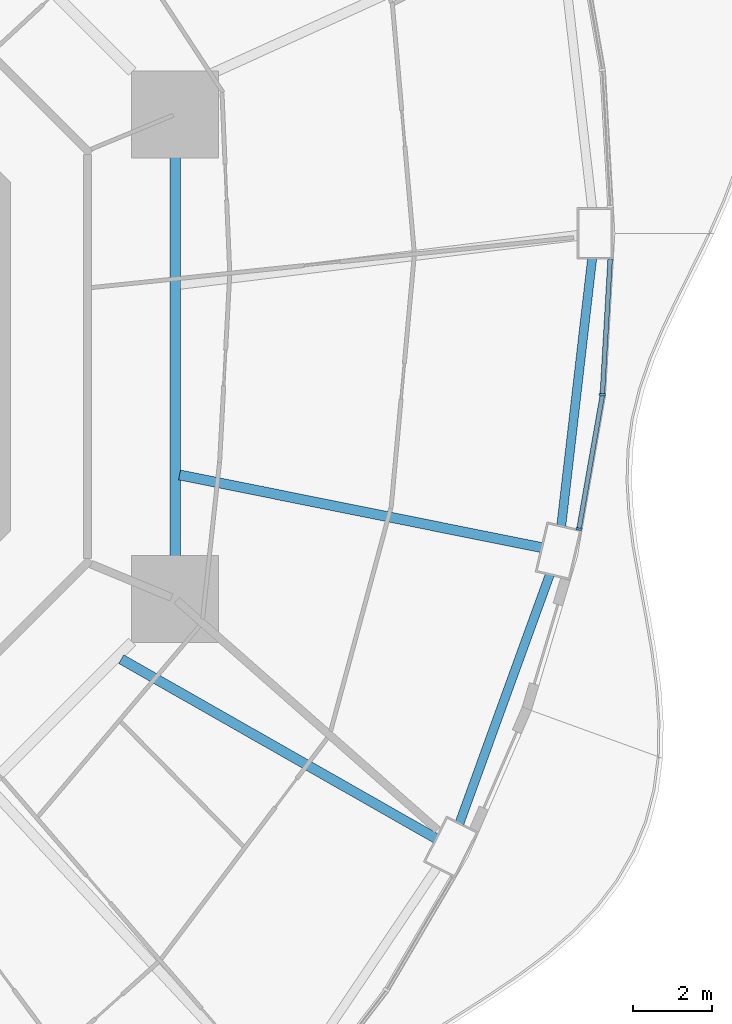
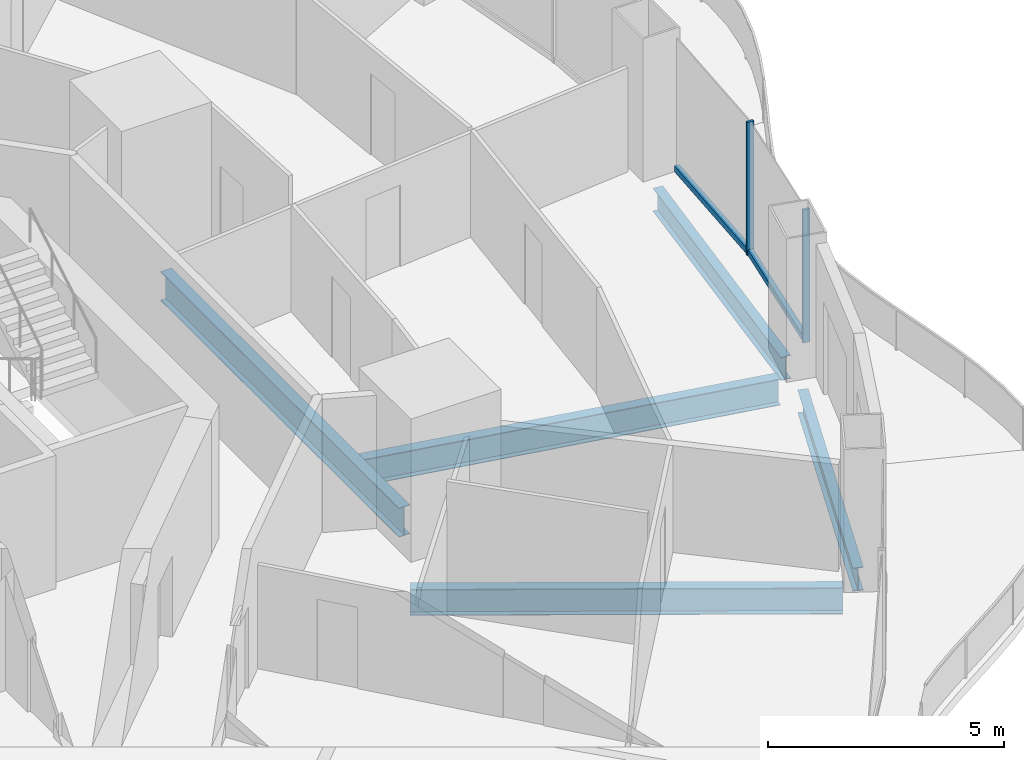
# One storey, part 6 of 22: 5 beams, 4 members, 2 elements without a shape of their own.
"""IFC4 building model written with IfcOpenShell, lengths in metres."""

from ifc_helpers import new_model, si_unit, direction, frame, origin, origin_2d, place, context, subcontext, project, spatial, rectangle, i_section, extrude, material, layer, layer_set, material_profile, profile_set, type_object, element, aggregate, save


model = new_model("IFC4")

# Units and contexts
model_context = context("Model", 3, precision=1e-05, world=origin(), true_north=direction((0.0, 1.0)))
body_context = subcontext(model_context, "Body", "Model", "MODEL_VIEW")
ifc_project = project(units=[si_unit("LENGTHUNIT", "METRE"), si_unit("AREAUNIT", "SQUARE_METRE"), si_unit("VOLUMEUNIT", "CUBIC_METRE"), si_unit("PLANEANGLEUNIT", "RADIAN"), si_unit("MASSUNIT", "GRAM", prefix="KILO")], contexts=[model_context])

# Site, building, storey
site_placement = place(None, origin())
site = spatial("IfcSite", under=ifc_project, at=site_placement, CompositionType="ELEMENT")
building_placement = place(site_placement, origin())
building = spatial("IfcBuilding", under=site, at=building_placement, Name="Nagisa Residences", CompositionType="ELEMENT")
storey_placement = place(building_placement, frame((0.0, 0.0, 95.5)))
storey = spatial("IfcBuildingStorey", under=building, at=storey_placement, Name="L23", CompositionType="ELEMENT", Elevation=95.5)

# Curtain wall, member
ifc_material_1 = material(Name="Concrete-coloured aluminium curtain wall system", Category="concrete")
ifc_layer = layer(ifc_material_1, 0.159912109375)
ifc_layer_set = layer_set([ifc_layer], Name="CW1 CURTAIN WALL")
curtain_wall_type = type_object("IfcCurtainWallType", Name="CW1 CURTAIN WALL", PredefinedType="NOTDEFINED", material=ifc_layer_set)
curtain_wall_1_placement = place(storey_placement, origin())
curtain_wall_1 = element("IfcCurtainWall", 1, at=curtain_wall_1_placement, inside=storey, type_object=curtain_wall_type, Name="cw:CW1:L23:46", PredefinedType="NOTDEFINED")
ifc_material_2 = material(Name="Concrete-coloured aluminium", Category="concrete")
ifc_material_profile_1 = material_profile(ifc_material_2, rectangle(XDim=0.159912109375, YDim=0.06005859375, at=origin_2d()), Name="CW1 MULLION 160x60")
ifc_profile_set_1 = profile_set([ifc_material_profile_1], Name="Concrete-coloured aluminium")
member_type_1 = type_object("IfcMemberType", Name="CW1 MULLION 160x60", PredefinedType="MULLION", material=ifc_profile_set_1)
member_1_placement = place(storey_placement, frame((24.989501953125, -4.35546875, 0.0), z_axis=(0.0, 0.0, 1.0), x_axis=(-0.985063604377, 0.172190868898, 0.0)))
member_1 = element("IfcMember", 2, at=member_1_placement, type_object=member_type_1, Name="CW1 mullion", PredefinedType="MULLION", context=body_context, shape_type="SweptSolid", body=[
    extrude(rectangle(XDim=0.159912109375, YDim=0.06005859375, at=origin_2d()), origin(), (0.0, 0.0, 1.0), 3.43994140625),
])

curtain_wall_2_placement = place(storey_placement, origin())
curtain_wall_2 = element("IfcCurtainWall", 3, at=curtain_wall_2_placement, inside=storey, type_object=curtain_wall_type, Name="cw:CW1:L23:47", PredefinedType="NOTDEFINED")
member_2_placement = place(storey_placement, frame((25.579833984375, -0.961181640625, 0.0), z_axis=(0.0, 0.0, 1.0), x_axis=(-0.998345305184, 0.057503492216, 0.0)))
member_2 = element("IfcMember", 4, at=member_2_placement, type_object=member_type_1, Name="CW1 mullion", PredefinedType="MULLION", context=body_context, shape_type="SweptSolid", body=[
    extrude(rectangle(XDim=0.159912109375, YDim=0.06005859375, at=origin_2d()), origin(), (0.0, 0.0, 1.0), 3.43994140625),
])

# Member
ifc_material_3 = material(Name="Concrete-coloured aluminium", Category="concrete")
ifc_material_profile_2 = material_profile(ifc_material_3, rectangle(XDim=0.1201171875, YDim=0.14990234375, at=origin_2d()), Name="CW1 TRANSOM 120x150")
ifc_profile_set_2 = profile_set([ifc_material_profile_2], Name="Concrete-coloured aluminium")
member_type_2 = type_object("IfcMemberType", Name="CW1 TRANSOM 120x150", PredefinedType="USERDEFINED", material=ifc_profile_set_2)
member_3_placement = place(storey_placement, frame((24.984375, -4.385009765625, 0.074951171875), z_axis=(0.17223289558, 0.985056257114, 0.0), x_axis=(-0.985056257114, 0.17223289558, 0.0)))
member_3 = element("IfcMember", 5, at=member_3_placement, type_object=member_type_2, Name="CW1 transom", ObjectType="TRANSOM", PredefinedType="USERDEFINED", context=body_context, shape_type="SweptSolid", body=[
    extrude(rectangle(XDim=0.1201171875, YDim=0.14990234375, at=origin_2d()), origin(), (0.0, 0.0, 1.0), 3.454345703125),
])

aggregate(curtain_wall_1, [member_1, member_3])

member_4_placement = place(storey_placement, frame((25.578125, -0.9912109375, 0.074951171875), z_axis=(0.057546644052, 0.998342818754, 0.0), x_axis=(-0.998342818754, 0.057546644052, 0.0)))
member_4 = element("IfcMember", 6, at=member_4_placement, type_object=member_type_2, Name="CW1 transom", ObjectType="TRANSOM", PredefinedType="USERDEFINED", context=body_context, shape_type="SweptSolid", body=[
    extrude(rectangle(XDim=0.1201171875, YDim=0.14990234375, at=origin_2d()), origin(), (0.0, 0.0, 1.0), 3.470458984375),
])

aggregate(curtain_wall_2, [member_2, member_4])

# Beams
ifc_material_4 = material(Name="Steel ASTM A572 Gr 50", Category="steel")
ifc_material_profile_3 = material_profile(ifc_material_4, i_section(OverallWidth=0.264892578125, OverallDepth=0.7529296875, WebThickness=0.01318359375, FlangeThickness=0.01708984375, at=origin_2d()), Name="W760x147")
ifc_profile_set_3 = profile_set([ifc_material_profile_3], Name="Steel ASTM A572 Gr 50")
beam_type_1 = type_object("IfcBeamType", Name="Inner ring beam W760x147", PredefinedType="BEAM", material=ifc_profile_set_3)
beam_1_placement = place(storey_placement, frame((14.781982421875, -5.04296875, -0.636474609375), z_axis=(0.0, 1.0, 0.0), x_axis=(-1.0, 0.0, 0.0)))
element("IfcBeam", 7, at=beam_1_placement, inside=storey, type_object=beam_type_1, Name="beam:L23:ib8", PredefinedType="BEAM", context=body_context, shape_type="SweptSolid", body=[
    extrude(i_section(OverallWidth=0.264892578125, OverallDepth=0.7529296875, WebThickness=0.01318359375, FlangeThickness=0.01708984375, at=origin_2d()), origin(), (0.0, 0.0, 1.0), 10.0859375),
])
ifc_material_5 = material(Name="Steel ASTM A572 Gr 50", Category="steel")
ifc_material_profile_4 = material_profile(ifc_material_5, i_section(OverallWidth=0.22802734375, OverallDepth=0.60302734375, WebThickness=0.010498046875, FlangeThickness=0.014892578125, at=origin_2d()), Name="W610x101")
ifc_profile_set_4 = profile_set([ifc_material_profile_4], Name="Steel ASTM A572 Gr 50")
beam_type_2 = type_object("IfcBeamType", Name="Perimeter ring beam W610x101", PredefinedType="BEAM", material=ifc_profile_set_4)
beam_2_placement = place(storey_placement, frame((21.96826171875, -11.793212890625, -0.5615234375), z_axis=(0.341365002286, 0.939930814057, 0.0), x_axis=(-0.939930814057, 0.341365002286, 0.0)))
element("IfcBeam", 8, at=beam_2_placement, inside=storey, type_object=beam_type_2, Name="beam:L23:pb23", PredefinedType="BEAM", context=body_context, shape_type="SweptSolid", body=[
    extrude(i_section(OverallWidth=0.22802734375, OverallDepth=0.60302734375, WebThickness=0.010498046875, FlangeThickness=0.014892578125, at=origin_2d()), origin(), (0.0, 0.0, 1.0), 6.689208984375),
])
beam_3_placement = place(storey_placement, frame((24.541015625, -4.279296875, -0.5615234375), z_axis=(0.114690766503, 0.993401242237, 0.0), x_axis=(-0.993401242237, 0.114690766503, 0.0)))
element("IfcBeam", 9, at=beam_3_placement, inside=storey, type_object=beam_type_2, Name="beam:L23:pb24", PredefinedType="BEAM", context=body_context, shape_type="SweptSolid", body=[
    extrude(i_section(OverallWidth=0.22802734375, OverallDepth=0.60302734375, WebThickness=0.010498046875, FlangeThickness=0.014892578125, at=origin_2d()), origin(), (0.0, 0.0, 1.0), 6.811767578125),
])
ifc_material_6 = material(Name="Steel ASTM A572 Gr 50", Category="steel")
ifc_material_profile_5 = material_profile(ifc_material_6, i_section(OverallWidth=0.2529296875, OverallDepth=0.677978515625, WebThickness=0.01171875, FlangeThickness=0.016357421875, at=origin_2d()), Name="W690x125")
ifc_profile_set_5 = profile_set([ifc_material_profile_5], Name="Steel ASTM A572 Gr 50")
beam_type_3 = type_object("IfcBeamType", Name="Radial beam W690x125", PredefinedType="BEAM", material=ifc_profile_set_5)
beam_4_placement = place(storey_placement, frame((21.37744140625, -12.1767578125, -0.59912109375), z_axis=(-0.868924854865, 0.494944033804, 0.0), x_axis=(-0.494944033804, -0.868924854865, 0.0)))
element("IfcBeam", 10, at=beam_4_placement, inside=storey, type_object=beam_type_3, Name="beam:L23:rb23", PredefinedType="BEAM", context=body_context, shape_type="SweptSolid", body=[
    extrude(i_section(OverallWidth=0.2529296875, OverallDepth=0.677978515625, WebThickness=0.01171875, FlangeThickness=0.016357421875, at=origin_2d()), origin(), (0.0, 0.0, 1.0), 9.156982421875),
])
beam_5_placement = place(storey_placement, frame((24.046630859375, -4.824951171875, -0.59912109375), z_axis=(-0.980459769656, 0.196719699282, 0.0), x_axis=(-0.196719699282, -0.980459769656, 0.0)))
element("IfcBeam", 11, at=beam_5_placement, inside=storey, type_object=beam_type_3, Name="beam:L23:rb24", PredefinedType="BEAM", context=body_context, shape_type="SweptSolid", body=[
    extrude(i_section(OverallWidth=0.2529296875, OverallDepth=0.677978515625, WebThickness=0.01171875, FlangeThickness=0.016357421875, at=origin_2d()), origin(), (0.0, 0.0, 1.0), 9.333984375),
])

save(model, "model.ifc")
